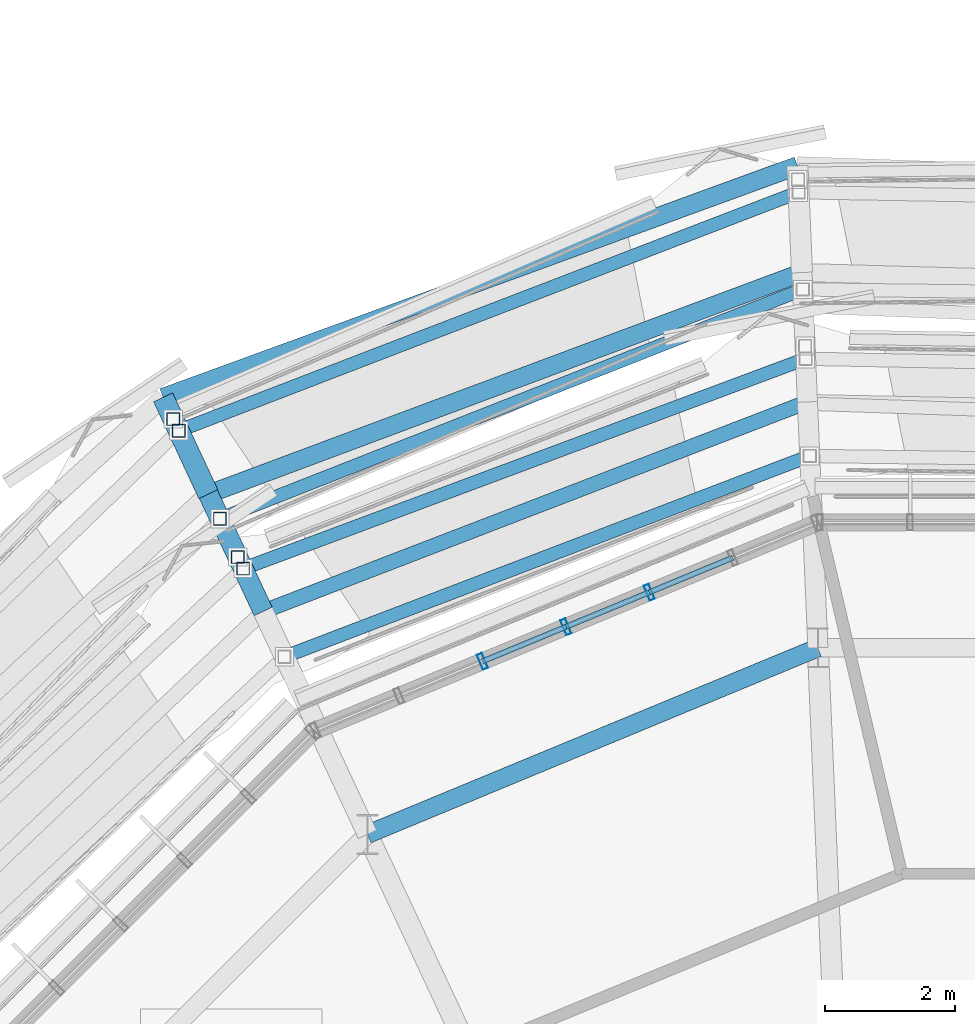
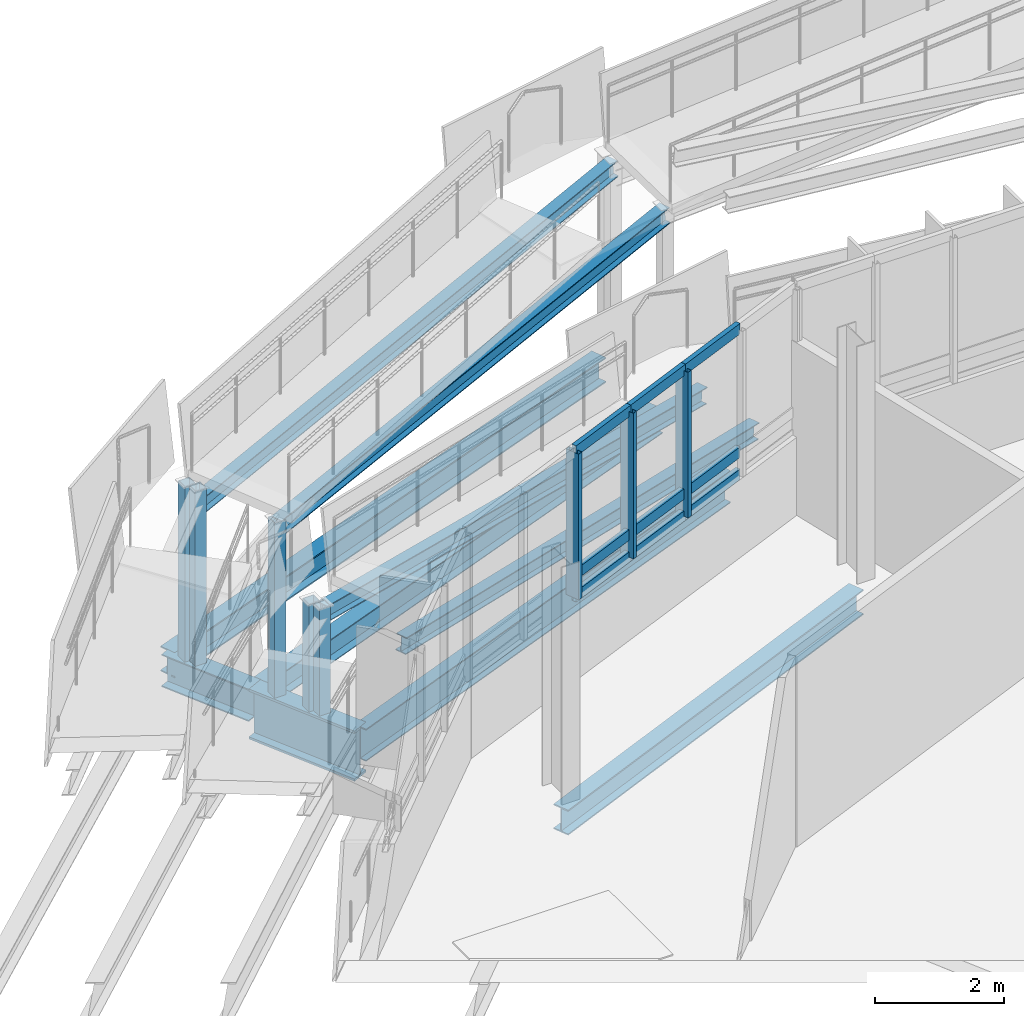
# One storey, part 54 of 139: 17 members, 10 beams, 1 element without a shape of its own.
"""IFC4 building model written with IfcOpenShell, lengths in metres."""

from ifc_helpers import new_model, si_unit, derived_unit, direction, frame, origin, origin_2d, place, context, subcontext, project, spatial, hollow_rectangle, i_section, extrude, material, layer, layer_set, material_profile, profile_set, type_object, element, aggregate, save


model = new_model("IFC4")

# Units and contexts
model_context = context("Model", 3, precision=1e-05, world=origin(), true_north=direction((0.0, 1.0)))
body_context = subcontext(model_context, "Body", "Model", "MODEL_VIEW")
ifc_project = project(units=[si_unit("LENGTHUNIT", "METRE"), si_unit("AREAUNIT", "SQUARE_METRE"), si_unit("VOLUMEUNIT", "CUBIC_METRE"), si_unit("PLANEANGLEUNIT", "RADIAN"), si_unit("MASSUNIT", "GRAM", prefix="KILO"), derived_unit("THERMALTRANSMITTANCEUNIT", [(si_unit("MASSUNIT", "GRAM", prefix="KILO"), 1), (si_unit("TIMEUNIT", "SECOND"), -3), (si_unit("THERMODYNAMICTEMPERATUREUNIT", "KELVIN"), -1)])], contexts=[model_context])

# Site, building, storey
site_placement = place(None, origin())
site = spatial("IfcSite", under=ifc_project, at=site_placement, CompositionType="ELEMENT")
building_placement = place(site_placement, origin())
building = spatial("IfcBuilding", under=site, at=building_placement, Name="Makaiwela Harbour Ferry Terminal", CompositionType="ELEMENT")
storey_placement = place(building_placement, frame((0.0, 0.0, 5.10009765625)))
storey = spatial("IfcBuildingStorey", under=building, at=storey_placement, Name="L01", CompositionType="ELEMENT", Elevation=5.10009765625)

# Curtain wall, members
ifc_material_1 = material(Name="Marine anodised aluminium 6063-T6", Category="aluminium")
ifc_layer = layer(ifc_material_1, 0.199951171875)
ifc_layer_set = layer_set([ifc_layer], Name="Marine anodised aluminium 6063-T6")
curtain_wall_type = type_object("IfcCurtainWallType", Name="ENV-CW-03", PredefinedType="USERDEFINED", material=ifc_layer_set)
curtain_wall_placement = place(storey_placement, origin())
curtain_wall = element("IfcCurtainWall", 1, at=curtain_wall_placement, inside=storey, type_object=curtain_wall_type, Name="Unitised Curtain Wall CWA-013", ObjectType="UNITIZED CURTAIN WALL", PredefinedType="USERDEFINED")
ifc_material_profile_1 = material_profile(ifc_material_1, hollow_rectangle(XDim=0.0849609375, YDim=0.25, WallThickness=0.0048828125, at=origin_2d()), Name="CWM-250X85")
ifc_profile_set_1 = profile_set([ifc_material_profile_1], Name="Marine anodised aluminium 6063-T6")
member_type_1 = type_object("IfcMemberType", Name="CW-MUL-250", PredefinedType="MULLION", material=ifc_profile_set_1)
member_1_placement = place(storey_placement, frame((30.731201171875, 87.885986328125, 1.47998046875), z_axis=(0.0, 0.0, 1.0), x_axis=(0.923879532511, 0.382683432365, 0.0)))
member_1 = element("IfcMember", 2, at=member_1_placement, type_object=member_type_1, Name="Curtain Wall Mullion CWA-013-3", PredefinedType="MULLION", context=body_context, shape_type="SweptSolid", body=[
    extrude(hollow_rectangle(XDim=0.0849609375, YDim=0.25, WallThickness=0.0048828125, at=origin_2d()), origin(), (0.0, 0.0, 1.0), 2.760009765625),
])
member_2_placement = place(storey_placement, frame((29.44287109375, 87.352294921875, 1.47998046875), z_axis=(0.0, 0.0, 1.0), x_axis=(0.923879532511, 0.382683432365, 0.0)))
member_2 = element("IfcMember", 3, at=member_2_placement, type_object=member_type_1, Name="Curtain Wall Mullion CWA-013-4", PredefinedType="MULLION", context=body_context, shape_type="SweptSolid", body=[
    extrude(hollow_rectangle(XDim=0.0849609375, YDim=0.25, WallThickness=0.0048828125, at=origin_2d()), origin(), (0.0, 0.0, 1.0), 2.760009765625),
])
member_3_placement = place(storey_placement, frame((28.154296875, 86.818603515625, 1.47998046875), z_axis=(0.0, 0.0, 1.0), x_axis=(0.923879532511, 0.382683432365, 0.0)))
member_3 = element("IfcMember", 4, at=member_3_placement, type_object=member_type_1, Name="Curtain Wall Mullion CWA-013-5", PredefinedType="MULLION", context=body_context, shape_type="SweptSolid", body=[
    extrude(hollow_rectangle(XDim=0.0849609375, YDim=0.25, WallThickness=0.0048828125, at=origin_2d()), origin(), (0.0, 0.0, 1.0), 2.760009765625),
])
ifc_material_profile_2 = material_profile(ifc_material_1, hollow_rectangle(XDim=0.0849609375, YDim=0.199951171875, WallThickness=0.0048828125, at=origin_2d()), Name="CWT-200X85")
ifc_profile_set_2 = profile_set([ifc_material_profile_2], Name="Marine anodised aluminium 6063-T6")
member_type_2 = type_object("IfcMemberType", Name="CW-TRN-200", PredefinedType="USERDEFINED", material=ifc_profile_set_2)
member_4_placement = place(storey_placement, frame((32.019775390625, 88.419921875, 1.47998046875), z_axis=(-0.923831205032, -0.382800084389, 0.0), x_axis=(0.382800084389, -0.923831205032, 0.0)))
member_4 = element("IfcMember", 5, at=member_4_placement, type_object=member_type_2, Name="Curtain Wall Transom CWA-013-2-1", ObjectType="TRANSOM", PredefinedType="USERDEFINED", context=body_context, shape_type="SweptSolid", body=[
    extrude(hollow_rectangle(XDim=0.0849609375, YDim=0.199951171875, WallThickness=0.0048828125, at=origin_2d()), origin(), (0.0, 0.0, 1.0), 1.394775390625),
])
member_5_placement = place(storey_placement, frame((32.019775390625, 88.419921875, 1.89990234375), z_axis=(-0.923831205032, -0.382800084389, 0.0), x_axis=(0.382800084389, -0.923831205032, 0.0)))
member_5 = element("IfcMember", 6, at=member_5_placement, type_object=member_type_2, Name="Curtain Wall Transom CWA-013-2-2", ObjectType="TRANSOM", PredefinedType="USERDEFINED", context=body_context, shape_type="SweptSolid", body=[
    extrude(hollow_rectangle(XDim=0.0849609375, YDim=0.199951171875, WallThickness=0.0048828125, at=origin_2d()), origin(), (0.0, 0.0, 1.0), 1.394775390625),
])
member_6_placement = place(storey_placement, frame((32.019775390625, 88.419921875, 4.239990234375), z_axis=(-0.923831205032, -0.382800084389, 0.0), x_axis=(0.382800084389, -0.923831205032, 0.0)))
member_6 = element("IfcMember", 7, at=member_6_placement, type_object=member_type_2, Name="Curtain Wall Transom CWA-013-2-3", ObjectType="TRANSOM", PredefinedType="USERDEFINED", context=body_context, shape_type="SweptSolid", body=[
    extrude(hollow_rectangle(XDim=0.0849609375, YDim=0.199951171875, WallThickness=0.0048828125, at=origin_2d()), origin(), (0.0, 0.0, 1.0), 1.394775390625),
])
member_7_placement = place(storey_placement, frame((30.731201171875, 87.885986328125, 1.47998046875), z_axis=(-0.923867459974, -0.382712576749, 0.0), x_axis=(0.382712576749, -0.923867459974, 0.0)))
member_7 = element("IfcMember", 8, at=member_7_placement, type_object=member_type_2, Name="Curtain Wall Transom CWA-013-3-1", ObjectType="TRANSOM", PredefinedType="USERDEFINED", context=body_context, shape_type="SweptSolid", body=[
    extrude(hollow_rectangle(XDim=0.0849609375, YDim=0.199951171875, WallThickness=0.0048828125, at=origin_2d()), origin(), (0.0, 0.0, 1.0), 1.39453125),
])
member_8_placement = place(storey_placement, frame((30.731201171875, 87.885986328125, 1.89990234375), z_axis=(-0.923867459974, -0.382712576749, 0.0), x_axis=(0.382712576749, -0.923867459974, 0.0)))
member_8 = element("IfcMember", 9, at=member_8_placement, type_object=member_type_2, Name="Curtain Wall Transom CWA-013-3-2", ObjectType="TRANSOM", PredefinedType="USERDEFINED", context=body_context, shape_type="SweptSolid", body=[
    extrude(hollow_rectangle(XDim=0.0849609375, YDim=0.199951171875, WallThickness=0.0048828125, at=origin_2d()), origin(), (0.0, 0.0, 1.0), 1.39453125),
])
member_9_placement = place(storey_placement, frame((30.731201171875, 87.885986328125, 4.239990234375), z_axis=(-0.923867459974, -0.382712576749, 0.0), x_axis=(0.382712576749, -0.923867459974, 0.0)))
member_9 = element("IfcMember", 10, at=member_9_placement, type_object=member_type_2, Name="Curtain Wall Transom CWA-013-3-3", ObjectType="TRANSOM", PredefinedType="USERDEFINED", context=body_context, shape_type="SweptSolid", body=[
    extrude(hollow_rectangle(XDim=0.0849609375, YDim=0.199951171875, WallThickness=0.0048828125, at=origin_2d()), origin(), (0.0, 0.0, 1.0), 1.39453125),
])
member_10_placement = place(storey_placement, frame((29.44287109375, 87.352294921875, 1.47998046875), z_axis=(-0.923893096707, -0.382650683858, 0.0), x_axis=(0.382650683858, -0.923893096707, 0.0)))
member_10 = element("IfcMember", 11, at=member_10_placement, type_object=member_type_2, Name="Curtain Wall Transom CWA-013-4-1", ObjectType="TRANSOM", PredefinedType="USERDEFINED", context=body_context, shape_type="SweptSolid", body=[
    extrude(hollow_rectangle(XDim=0.0849609375, YDim=0.199951171875, WallThickness=0.0048828125, at=origin_2d()), origin(), (0.0, 0.0, 1.0), 1.394775390625),
])
member_11_placement = place(storey_placement, frame((29.44287109375, 87.352294921875, 1.89990234375), z_axis=(-0.923893096707, -0.382650683858, 0.0), x_axis=(0.382650683858, -0.923893096707, 0.0)))
member_11 = element("IfcMember", 12, at=member_11_placement, type_object=member_type_2, Name="Curtain Wall Transom CWA-013-4-2", ObjectType="TRANSOM", PredefinedType="USERDEFINED", context=body_context, shape_type="SweptSolid", body=[
    extrude(hollow_rectangle(XDim=0.0849609375, YDim=0.199951171875, WallThickness=0.0048828125, at=origin_2d()), origin(), (0.0, 0.0, 1.0), 1.394775390625),
])
member_12_placement = place(storey_placement, frame((29.44287109375, 87.352294921875, 4.239990234375), z_axis=(-0.923893096707, -0.382650683858, 0.0), x_axis=(0.382650683858, -0.923893096707, 0.0)))
member_12 = element("IfcMember", 13, at=member_12_placement, type_object=member_type_2, Name="Curtain Wall Transom CWA-013-4-3", ObjectType="TRANSOM", PredefinedType="USERDEFINED", context=body_context, shape_type="SweptSolid", body=[
    extrude(hollow_rectangle(XDim=0.0849609375, YDim=0.199951171875, WallThickness=0.0048828125, at=origin_2d()), origin(), (0.0, 0.0, 1.0), 1.394775390625),
])
aggregate(curtain_wall, [member_1, member_2, member_3, member_4, member_5, member_6, member_7, member_8, member_9, member_10, member_11, member_12])

# Beams
ifc_material_2 = material(Name="Steel ASTM A992 Grade 50", Category="steel")
ifc_material_profile_3 = material_profile(ifc_material_2, i_section(OverallWidth=0.280029296875, OverallDepth=0.462890625, WebThickness=0.0107421875, FlangeThickness=0.017333984375, at=origin_2d()), Name="W18X76")
ifc_profile_set_3 = profile_set([ifc_material_profile_3], Name="Steel ASTM A992 Grade 50")
beam_type_1 = type_object("IfcBeamType", Name="STR-BM-W18X76", PredefinedType="BEAM", material=ifc_profile_set_3)
beam_1_placement = place(storey_placement, frame((33.089111328125, 92.823974609375, -0.51171875), z_axis=(-0.936858190417, -0.349709495222, 0.0), x_axis=(0.349709495222, -0.936858190417, 0.0)))
element("IfcBeam", 14, at=beam_1_placement, inside=storey, type_object=beam_type_1, Name="Drum stage2 tie girder 87", PredefinedType="BEAM", context=body_context, shape_type="SweptSolid", body=[
    extrude(i_section(OverallWidth=0.280029296875, OverallDepth=0.462890625, WebThickness=0.0107421875, FlangeThickness=0.017333984375, at=origin_2d()), origin(), (0.0, 0.0, 1.0), 9.78564453125),
])
ifc_material_profile_4 = material_profile(ifc_material_2, i_section(OverallWidth=0.324951171875, OverallDepth=0.615966796875, WebThickness=0.013916015625, FlangeThickness=0.021484375, at=origin_2d()), Name="W24X117")
ifc_profile_set_4 = profile_set([ifc_material_profile_4], Name="Steel ASTM A992 Grade 50")
beam_type_2 = type_object("IfcBeamType", Name="STR-GRD-W24X117", PredefinedType="USERDEFINED", material=ifc_profile_set_4)
beam_2_placement = place(storey_placement, frame((23.92138671875, 89.40185546875, -0.588134765625), z_axis=(-0.423379579508, 0.905952389287, 0.0), x_axis=(-0.905952389287, -0.423379579508, 0.0)))
element("IfcBeam", 15, at=beam_2_placement, inside=storey, type_object=beam_type_2, Name="Promenade terrace bracket 48", ObjectType="GIRDER", PredefinedType="USERDEFINED", context=body_context, shape_type="SweptSolid", body=[
    extrude(i_section(OverallWidth=0.324951171875, OverallDepth=0.615966796875, WebThickness=0.013916015625, FlangeThickness=0.021484375, at=origin_2d()), origin(), (0.0, 0.0, 1.0), 1.64990234375),
])
ifc_material_profile_5 = material_profile(ifc_material_2, i_section(OverallWidth=0.22900390625, OverallDepth=0.612060546875, WebThickness=0.011962890625, FlangeThickness=0.01953125, at=origin_2d()), Name="W24X84")
ifc_profile_set_5 = profile_set([ifc_material_profile_5], Name="Steel ASTM A992 Grade 50")
beam_type_3 = type_object("IfcBeamType", Name="STR-GRD-W24X84", PredefinedType="USERDEFINED", material=ifc_profile_set_5)
beam_3_placement = place(storey_placement, frame((33.173583984375, 90.82568359375, -0.586181640625), z_axis=(-0.933232382004, -0.359273323779, 0.0), x_axis=(0.359273323779, -0.933232382004, 0.0)))
element("IfcBeam", 16, at=beam_3_placement, inside=storey, type_object=beam_type_3, Name="Drum overhang tie girder 86", ObjectType="GIRDER", PredefinedType="USERDEFINED", context=body_context, shape_type="SweptSolid", body=[
    extrude(i_section(OverallWidth=0.22900390625, OverallDepth=0.612060546875, WebThickness=0.011962890625, FlangeThickness=0.01953125, at=origin_2d()), origin(), (0.0, 0.0, 1.0), 9.006591796875),
])
ifc_material_profile_6 = material_profile(ifc_material_2, i_section(OverallWidth=0.31005859375, OverallDepth=0.949951171875, WebThickness=0.0244140625, FlangeThickness=0.0439453125, at=origin_2d()), Name="W36X256")
ifc_profile_set_6 = profile_set([ifc_material_profile_6], Name="Steel ASTM A992 Grade 50")
beam_type_4 = type_object("IfcBeamType", Name="STR-GRD-W36X256", PredefinedType="USERDEFINED", material=ifc_profile_set_6)
beam_4_placement = place(storey_placement, frame((24.768310546875, 87.58984375, -0.755126953125), z_axis=(-0.423426642, 0.90593039404, 0.0), x_axis=(-0.90593039404, -0.423426642, 0.0)))
element("IfcBeam", 17, at=beam_4_placement, inside=storey, type_object=beam_type_4, Name="Drum overhang radial girder 47", ObjectType="GIRDER", PredefinedType="USERDEFINED", context=body_context, shape_type="SweptSolid", body=[
    extrude(i_section(OverallWidth=0.31005859375, OverallDepth=0.949951171875, WebThickness=0.0244140625, FlangeThickness=0.0439453125, at=origin_2d()), origin(), (0.0, 0.0, 1.0), 2.000244140625),
])
ifc_material_profile_7 = material_profile(ifc_material_2, i_section(OverallWidth=0.205078125, OverallDepth=0.31005859375, WebThickness=0.009521484375, FlangeThickness=0.016357421875, at=origin_2d()), Name="W12X50")
ifc_profile_set_7 = profile_set([ifc_material_profile_7], Name="Steel ASTM A992 Grade 50")
beam_type_5 = type_object("IfcBeamType", Name="STR-LNT-W12X50", PredefinedType="LINTEL", material=ifc_profile_set_7)
beam_5_placement = place(storey_placement, frame((33.208984375, 89.991455078125, 0.95556640625), z_axis=(-0.931517044992, -0.356130357987, 0.073804898275), x_axis=(0.357104288724, -0.934064519707, 0.0)))
element("IfcBeam", 18, at=beam_5_placement, inside=storey, type_object=beam_type_5, Name="Coiled Ramp Stringer L01-FI3-IN", PredefinedType="LINTEL", context=body_context, shape_type="SweptSolid", body=[
    extrude(i_section(OverallWidth=0.205078125, OverallDepth=0.31005859375, WebThickness=0.009521484375, FlangeThickness=0.016357421875, at=origin_2d()), origin(), (0.0, 0.0, 1.0), 8.709716796875),
])
beam_6_placement = place(storey_placement, frame((33.1455078125, 91.4921875, 0.739501953125), z_axis=(-0.932941382056, -0.348092887568, 0.091933232679), x_axis=(0.349573269719, -0.936909029254, 0.0)))
element("IfcBeam", 19, at=beam_6_placement, inside=storey, type_object=beam_type_5, Name="Coiled Ramp Stringer L01-FI3-OUT", PredefinedType="LINTEL", context=body_context, shape_type="SweptSolid", body=[
    extrude(i_section(OverallWidth=0.205078125, OverallDepth=0.31005859375, WebThickness=0.009521484375, FlangeThickness=0.016357421875, at=origin_2d()), origin(), (0.0, 0.0, 1.0), 9.310546875),
])
beam_7_placement = place(storey_placement, frame((24.099853515625, 89.0205078125, 2.88427734375), z_axis=(0.928459819457, 0.365465358474, 0.066313161661), x_axis=(-0.366271573564, 0.930507998031, 0.0)))
element("IfcBeam", 20, at=beam_7_placement, inside=storey, type_object=beam_type_5, Name="Coiled Ramp Stringer L01-FO2-IN", PredefinedType="LINTEL", context=body_context, shape_type="SweptSolid", body=[
    extrude(i_section(OverallWidth=0.205078125, OverallDepth=0.31005859375, WebThickness=0.009521484375, FlangeThickness=0.016357421875, at=origin_2d()), origin(), (0.0, 0.0, 1.0), 9.69384765625),
])
beam_8_placement = place(storey_placement, frame((23.4638671875, 90.381103515625, 2.69287109375), z_axis=(0.930260043498, 0.357901827544, 0.080762202251), x_axis=(-0.359074781945, 0.933308791864, 0.0)))
element("IfcBeam", 21, at=beam_8_placement, inside=storey, type_object=beam_type_5, Name="Coiled Ramp Stringer L01-FO2-OUT", PredefinedType="LINTEL", context=body_context, shape_type="SweptSolid", body=[
    extrude(i_section(OverallWidth=0.205078125, OverallDepth=0.31005859375, WebThickness=0.009521484375, FlangeThickness=0.016357421875, at=origin_2d()), origin(), (0.0, 0.0, 1.0), 10.2900390625),
])

# Members
ifc_material_3 = material(Name="Steel ASTM A500 Grade C", Category="steel")
ifc_material_profile_8 = material_profile(ifc_material_3, hollow_rectangle(XDim=0.202880859375, YDim=0.202880859375, WallThickness=0.01171875, at=origin_2d()), Name="HSS8X8X1/2")
ifc_profile_set_8 = profile_set([ifc_material_profile_8], Name="Steel ASTM A500 Grade C")
member_type_3 = type_object("IfcMemberType", Name="STR-PST-HSS8", PredefinedType="POST", material=ifc_profile_set_8)
member_13_placement = place(storey_placement, frame((23.4638671875, 90.381103515625, -0.300048828125), z_axis=(0.0, 0.0, 1.0), x_axis=(1.0, 0.0, 0.0)))
element("IfcMember", 22, at=member_13_placement, inside=storey, type_object=member_type_3, Name="Exterior Ramp Support Post RP-0039", PredefinedType="POST", context=body_context, shape_type="SweptSolid", body=[
    extrude(hollow_rectangle(XDim=0.202880859375, YDim=0.202880859375, WallThickness=0.01171875, at=origin_2d()), origin(), (0.0, 0.0, 1.0), 3.336181640625),
])
member_14_placement = place(storey_placement, frame((23.3798828125, 90.560302734375, -0.300048828125), z_axis=(0.0, 0.0, 1.0), x_axis=(1.0, 0.0, 0.0)))
element("IfcMember", 23, at=member_14_placement, inside=storey, type_object=member_type_3, Name="Exterior Ramp Support Post RP-0041", PredefinedType="POST", context=body_context, shape_type="SweptSolid", body=[
    extrude(hollow_rectangle(XDim=0.202880859375, YDim=0.202880859375, WallThickness=0.01171875, at=origin_2d()), origin(), (0.0, 0.0, 1.0), 3.34423828125),
])
member_15_placement = place(storey_placement, frame((24.099853515625, 89.0205078125, -0.300048828125), z_axis=(0.0, 0.0, 1.0), x_axis=(1.0, 0.0, 0.0)))
element("IfcMember", 24, at=member_15_placement, inside=storey, type_object=member_type_3, Name="Exterior Ramp Support Post RP-0044", PredefinedType="POST", context=body_context, shape_type="SweptSolid", body=[
    extrude(hollow_rectangle(XDim=0.202880859375, YDim=0.202880859375, WallThickness=0.01171875, at=origin_2d()), origin(), (0.0, 0.0, 1.0), 3.33935546875),
])
member_16_placement = place(storey_placement, frame((24.459228515625, 88.251220703125, -0.300048828125), z_axis=(0.0, 0.0, 1.0), x_axis=(1.0, 0.0, 0.0)))
element("IfcMember", 25, at=member_16_placement, inside=storey, type_object=member_type_3, Name="Exterior Ramp Support Post RP-0048", PredefinedType="POST", context=body_context, shape_type="SweptSolid", body=[
    extrude(hollow_rectangle(XDim=0.202880859375, YDim=0.202880859375, WallThickness=0.01171875, at=origin_2d()), origin(), (0.0, 0.0, 1.0), 2.050537109375),
])
member_17_placement = place(storey_placement, frame((24.3759765625, 88.4296875, -0.300048828125), z_axis=(0.0, 0.0, 1.0), x_axis=(1.0, 0.0, 0.0)))
element("IfcMember", 26, at=member_17_placement, inside=storey, type_object=member_type_3, Name="Exterior Ramp Support Post RP-0049", PredefinedType="POST", context=body_context, shape_type="SweptSolid", body=[
    extrude(hollow_rectangle(XDim=0.202880859375, YDim=0.202880859375, WallThickness=0.01171875, at=origin_2d()), origin(), (0.0, 0.0, 1.0), 2.05859375),
])

# Beams
ifc_material_profile_9 = material_profile(ifc_material_2, i_section(OverallWidth=0.283935546875, OverallDepth=0.47607421875, WebThickness=0.014892578125, FlangeThickness=0.02392578125, at=origin_2d()), Name="W18X106")
ifc_profile_set_9 = profile_set([ifc_material_profile_9], Name="Steel ASTM A992 Grade 50")
beam_type_6 = type_object("IfcBeamType", Name="STR-SPN-W18X106", PredefinedType="SPANDREL", material=ifc_profile_set_9)
beam_9_placement = place(storey_placement, frame((33.334716796875, 87.029296875, -0.51806640625), z_axis=(-0.923877743092, -0.382687752376, 0.0), x_axis=(0.382687752376, -0.923877743092, 0.0)))
element("IfcBeam", 27, at=beam_9_placement, inside=storey, type_object=beam_type_6, Name="Drum column ring girder 16", PredefinedType="SPANDREL", context=body_context, shape_type="SweptSolid", body=[
    extrude(i_section(OverallWidth=0.283935546875, OverallDepth=0.47607421875, WebThickness=0.014892578125, FlangeThickness=0.02392578125, at=origin_2d()), origin(), (0.0, 0.0, 1.0), 7.530517578125),
])
beam_10_placement = place(storey_placement, frame((33.01904296875, 94.472412109375, -0.51806640625), z_axis=(-0.939370966018, -0.342902592879, 0.0), x_axis=(0.342902592879, -0.939370966018, 0.0)))
element("IfcBeam", 28, at=beam_10_placement, inside=storey, type_object=beam_type_6, Name="Drum perimeter spandrel 107", PredefinedType="SPANDREL", context=body_context, shape_type="SweptSolid", body=[
    extrude(i_section(OverallWidth=0.283935546875, OverallDepth=0.47607421875, WebThickness=0.014892578125, FlangeThickness=0.02392578125, at=origin_2d()), origin(), (0.0, 0.0, 1.0), 10.428466796875),
])

save(model, "model.ifc")
